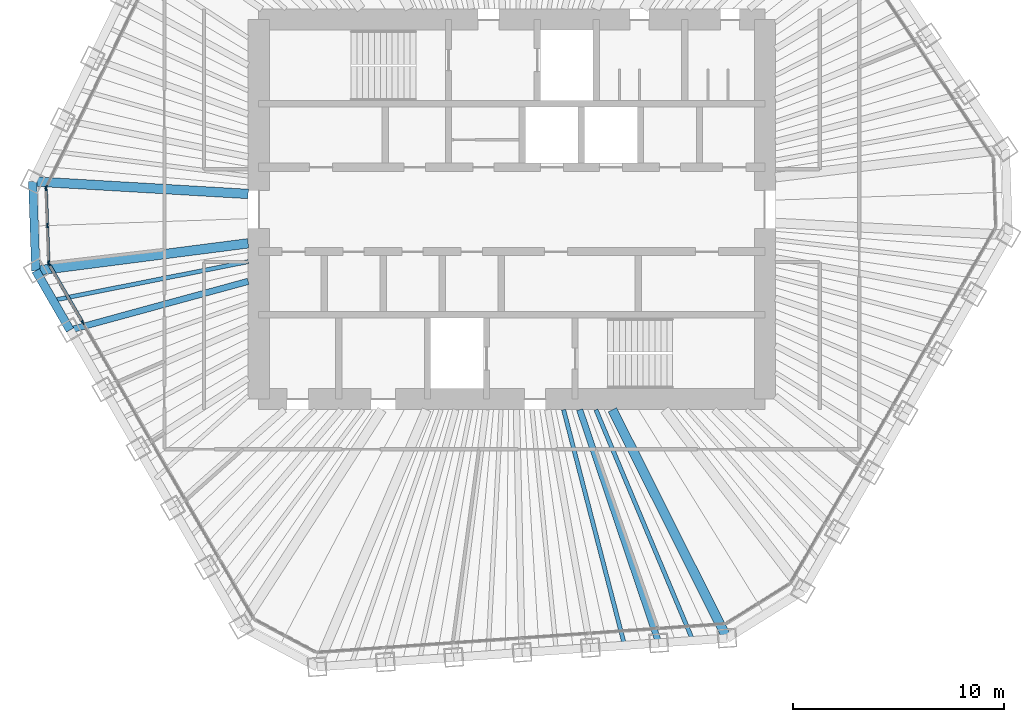
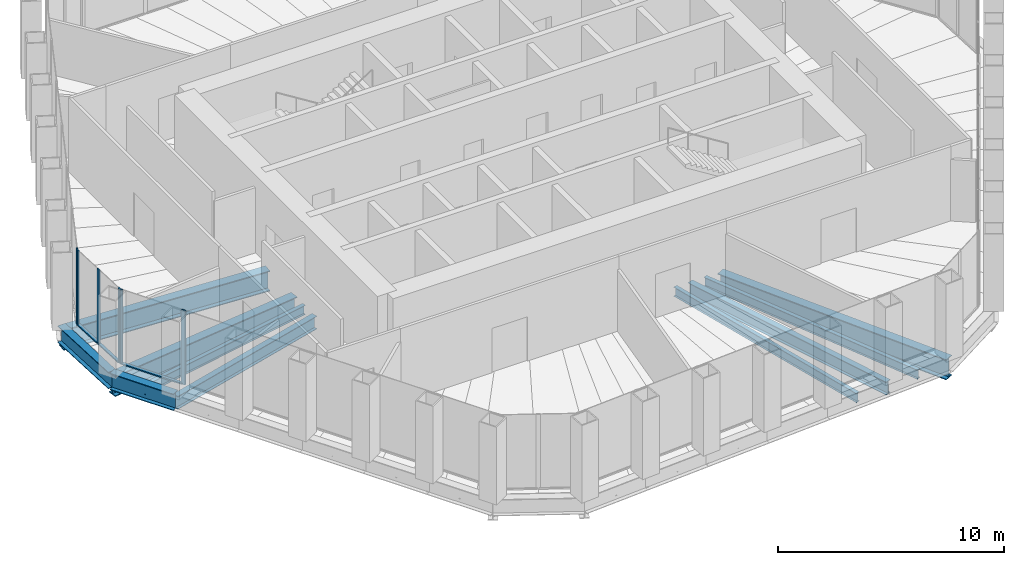
# One storey, part 3 of 14: 10 beams, 9 members, 3 elements without a shape of their own.
"""IFC4 building model written with IfcOpenShell, lengths in metres."""

from ifc_helpers import new_model, si_unit, direction, frame, origin, origin_2d, place, context, subcontext, project, spatial, rectangle, i_section, extrude, material, material_profile, profile_set, type_object, element, aggregate, save


model = new_model("IFC4")

# Units and contexts
model_context = context("Model", 3, precision=1e-05, world=origin(), true_north=direction((0.0, 1.0)))
body_context = subcontext(model_context, "Body", "Model", "MODEL_VIEW")
ifc_project = project(units=[si_unit("LENGTHUNIT", "METRE"), si_unit("AREAUNIT", "SQUARE_METRE"), si_unit("VOLUMEUNIT", "CUBIC_METRE"), si_unit("PLANEANGLEUNIT", "RADIAN"), si_unit("MASSUNIT", "GRAM", prefix="KILO")], contexts=[model_context])

# Site, building, storey
site_placement = place(None, origin())
site = spatial("IfcSite", under=ifc_project, at=site_placement, CompositionType="ELEMENT")
building_placement = place(site_placement, origin())
building = spatial("IfcBuilding", under=site, at=building_placement, Name="Qingtian Harvest Tower", CompositionType="ELEMENT")
storey_placement = place(building_placement, frame((0.0, 0.0, 287.199951171875)))
storey = spatial("IfcBuildingStorey", under=building, at=storey_placement, Name="L63", CompositionType="ELEMENT", Elevation=287.199951171875)

# Beams
ifc_material_1 = material(Name="Steel SM570MC", Category="steel")
ifc_material_profile_1 = material_profile(ifc_material_1, i_section(OverallWidth=0.449951171875, OverallDepth=1.10009765625, WebThickness=0.02197265625, FlangeThickness=0.044921875, at=origin_2d()), Name="H1100x450x22x45")
ifc_profile_set_1 = profile_set([ifc_material_profile_1], Name="Steel SM570MC")
beam_type_1 = type_object("IfcBeamType", Name="Corner floor beam FB8 H1100x450x22x45", PredefinedType="BEAM", material=ifc_profile_set_1)
beam_1_placement = place(storey_placement, frame((10.20947265625, -20.33740234375, -0.719970703125), z_axis=(-0.448646499463, 0.89370930314, 0.0), x_axis=(-0.89370930314, -0.448646499463, 0.0)))
element("IfcBeam", 1, at=beam_1_placement, inside=storey, type_object=beam_type_1, Name="Floor beam FB8 S0", PredefinedType="BEAM", context=body_context, shape_type="SweptSolid", body=[
    extrude(i_section(OverallWidth=0.449951171875, OverallDepth=1.10009765625, WebThickness=0.02197265625, FlangeThickness=0.044921875, at=origin_2d()), origin(), (0.0, 0.0, 1.0), 12.126220703125),
])
beam_2_placement = place(storey_placement, frame((-22.569580078125, -2.908447265625, -0.719970703125), z_axis=(0.991799019918, 0.127807292784, 0.0), x_axis=(-0.127807292784, 0.991799019918, 0.0)))
element("IfcBeam", 2, at=beam_2_placement, inside=storey, type_object=beam_type_1, Name="Floor beam FB8 SW6", PredefinedType="BEAM", context=body_context, shape_type="SweptSolid", body=[
    extrude(i_section(OverallWidth=0.449951171875, OverallDepth=1.10009765625, WebThickness=0.02197265625, FlangeThickness=0.044921875, at=origin_2d()), origin(), (0.0, 0.0, 1.0), 10.15283203125),
])
beam_3_placement = place(storey_placement, frame((-22.71728515625, 1.3271484375, -0.719970703125), z_axis=(0.998297736533, -0.058323487833, 0.0), x_axis=(0.058323487833, 0.998297736533, 0.0)))
element("IfcBeam", 3, at=beam_3_placement, inside=storey, type_object=beam_type_1, Name="Floor beam FB8 NW0", PredefinedType="BEAM", context=body_context, shape_type="SweptSolid", body=[
    extrude(i_section(OverallWidth=0.449951171875, OverallDepth=1.10009765625, WebThickness=0.02197265625, FlangeThickness=0.044921875, at=origin_2d()), origin(), (0.0, 0.0, 1.0), 10.234619140625),
])
ifc_material_2 = material(Name="Steel SN490B", Category="steel")
ifc_material_profile_2 = material_profile(ifc_material_2, i_section(OverallWidth=0.300048828125, OverallDepth=0.699951171875, WebThickness=0.012939453125, FlangeThickness=0.02392578125, at=origin_2d()), Name="H700x300x13x24")
ifc_profile_set_2 = profile_set([ifc_material_profile_2], Name="Steel SN490B")
beam_type_2 = type_object("IfcBeamType", Name="Floor beam FB4 H700x300x13x24", PredefinedType="BEAM", material=ifc_profile_set_2)
beam_4_placement = place(storey_placement, frame((6.96923828125, -20.56396484375, -0.52001953125), z_axis=(-0.320963665382, 0.947091508517, 0.0), x_axis=(-0.947091508517, -0.320963665382, 0.0)))
element("IfcBeam", 4, at=beam_4_placement, inside=storey, type_object=beam_type_2, Name="Floor beam FB4 S1", PredefinedType="BEAM", context=body_context, shape_type="SweptSolid", body=[
    extrude(i_section(OverallWidth=0.300048828125, OverallDepth=0.699951171875, WebThickness=0.012939453125, FlangeThickness=0.02392578125, at=origin_2d()), origin(), (0.0, 0.0, 1.0), 11.68212890625),
])
beam_5_placement = place(storey_placement, frame((-20.945556640625, -5.721435546875, -0.52001953125), z_axis=(0.964660783636, 0.263494919335, 0.0), x_axis=(-0.263494919335, 0.964660783636, 0.0)))
element("IfcBeam", 5, at=beam_5_placement, inside=storey, type_object=beam_type_2, Name="Floor beam FB4 SW5", PredefinedType="BEAM", context=body_context, shape_type="SweptSolid", body=[
    extrude(i_section(OverallWidth=0.300048828125, OverallDepth=0.699951171875, WebThickness=0.012939453125, FlangeThickness=0.02392578125, at=origin_2d()), origin(), (0.0, 0.0, 1.0), 8.7548828125),
])
ifc_material_3 = material(Name="Steel SN490B", Category="steel")
ifc_material_profile_3 = material_profile(ifc_material_3, i_section(OverallWidth=0.199951171875, OverallDepth=0.5, WebThickness=0.010009765625, FlangeThickness=0.01611328125, at=origin_2d()), Name="H500x200x10x16")
ifc_profile_set_3 = profile_set([ifc_material_profile_3], Name="Steel SN490B")
beam_type_3 = type_object("IfcBeamType", Name="Floor joist J3 H500x200x10x16", PredefinedType="JOIST", material=ifc_profile_set_3)
beam_6_placement = place(storey_placement, frame((8.58935546875, -20.45068359375, -0.419921875), z_axis=(-0.387238075679, 0.921979757232, 0.0), x_axis=(-0.921979757232, -0.387238075679, 0.0)))
element("IfcBeam", 6, at=beam_6_placement, inside=storey, type_object=beam_type_3, Name="Floor joist J3 S0", PredefinedType="JOIST", context=body_context, shape_type="SweptSolid", body=[
    extrude(i_section(OverallWidth=0.199951171875, OverallDepth=0.5, WebThickness=0.010009765625, FlangeThickness=0.01611328125, at=origin_2d()), origin(), (0.0, 0.0, 1.0), 11.87744140625),
])
beam_7_placement = place(storey_placement, frame((5.349365234375, -20.67724609375, -0.419921875), z_axis=(-0.250458686855, 0.968127288211, 0.0), x_axis=(-0.968127288211, -0.250458686855, 0.0)))
element("IfcBeam", 7, at=beam_7_placement, inside=storey, type_object=beam_type_3, Name="Floor joist J3 S1", PredefinedType="JOIST", context=body_context, shape_type="SweptSolid", body=[
    extrude(i_section(OverallWidth=0.199951171875, OverallDepth=0.5, WebThickness=0.010009765625, FlangeThickness=0.01611328125, at=origin_2d()), origin(), (0.0, 0.0, 1.0), 11.545166015625),
])
beam_8_placement = place(storey_placement, frame((-21.757568359375, -4.31494140625, -0.419921875), z_axis=(0.980896774681, 0.194528962937, 0.0), x_axis=(-0.194528962937, 0.980896774681, 0.0)))
element("IfcBeam", 8, at=beam_8_placement, inside=storey, type_object=beam_type_3, Name="Floor joist J3 SW5", PredefinedType="JOIST", context=body_context, shape_type="SweptSolid", body=[
    extrude(i_section(OverallWidth=0.199951171875, OverallDepth=0.5, WebThickness=0.010009765625, FlangeThickness=0.01611328125, at=origin_2d()), origin(), (0.0, 0.0, 1.0), 9.437744140625),
])

# Curtain wall, members
ifc_material_4 = material(Name="Bronze-anodised aluminium curtain wall", Category="aluminium")
curtain_wall_type = type_object("IfcCurtainWallType", Name="Curtain wall CW5 upper office", PredefinedType="USERDEFINED", material=ifc_material_4)
curtain_wall_1_placement = place(storey_placement, origin())
curtain_wall_1 = element("IfcCurtainWall", 9, at=curtain_wall_1_placement, inside=storey, type_object=curtain_wall_type, Name="Curtain wall CW5 L63 SW0-5", ObjectType="RECESSED CURTAIN WALL", PredefinedType="USERDEFINED")
ifc_material_5 = material(Name="Bronze-anodised aluminium mullion", Category="aluminium")
ifc_material_profile_4 = material_profile(ifc_material_5, rectangle(XDim=0.06494140625, YDim=0.199951171875, at=origin_2d()), Name="AL 65x200")
ifc_profile_set_4 = profile_set([ifc_material_profile_4], Name="Bronze-anodised aluminium mullion")
member_type_1 = type_object("IfcMemberType", Name="Mullion CWM 65x200", PredefinedType="MULLION", material=ifc_profile_set_4)
member_1_placement = place(storey_placement, frame((-20.33935546875, -5.371337890625, 0.0), z_axis=(0.0, 0.0, 1.0), x_axis=(-0.866025403784, -0.5, 0.0)))
member_1 = element("IfcMember", 10, at=member_1_placement, type_object=member_type_1, Name="CW5 mullion 6", PredefinedType="MULLION", context=body_context, shape_type="SweptSolid", body=[
    extrude(rectangle(XDim=0.06494140625, YDim=0.199951171875, at=origin_2d()), origin(), (0.0, 0.0, 1.0), 4.030029296875),
])
member_2_placement = place(storey_placement, frame((-21.947021484375, -2.586669921875, 0.0), z_axis=(0.0, 0.0, 1.0), x_axis=(-0.866025403784, -0.5, 0.0)))
member_2 = element("IfcMember", 11, at=member_2_placement, type_object=member_type_1, Name="CW5 mullion 7", PredefinedType="MULLION", context=body_context, shape_type="SweptSolid", body=[
    extrude(rectangle(XDim=0.06494140625, YDim=0.199951171875, at=origin_2d()), origin(), (0.0, 0.0, 1.0), 4.030029296875),
])

curtain_wall_2_placement = place(storey_placement, origin())
curtain_wall_2 = element("IfcCurtainWall", 12, at=curtain_wall_2_placement, inside=storey, type_object=curtain_wall_type, Name="Curtain wall CW5 L63 SWC", ObjectType="RECESSED CURTAIN WALL", PredefinedType="USERDEFINED")
member_3_placement = place(storey_placement, frame((-21.96435546875, -2.526123046875, 0.0), z_axis=(0.0, 0.0, 1.0), x_axis=(-0.999390827019, -0.034899496703, 0.0)))
member_3 = element("IfcMember", 13, at=member_3_placement, type_object=member_type_1, Name="CW5 mullion 1", PredefinedType="MULLION", context=body_context, shape_type="SweptSolid", body=[
    extrude(rectangle(XDim=0.06494140625, YDim=0.199951171875, at=origin_2d()), origin(), (0.0, 0.0, 1.0), 4.030029296875),
])
member_4_placement = place(storey_placement, frame((-22.025634765625, -0.76904296875, 0.0), z_axis=(0.0, 0.0, 1.0), x_axis=(-0.999390827019, -0.034899496703, 0.0)))
member_4 = element("IfcMember", 14, at=member_4_placement, type_object=member_type_1, Name="CW5 mullion 2", PredefinedType="MULLION", context=body_context, shape_type="SweptSolid", body=[
    extrude(rectangle(XDim=0.06494140625, YDim=0.199951171875, at=origin_2d()), origin(), (0.0, 0.0, 1.0), 4.030029296875),
])
member_5_placement = place(storey_placement, frame((-22.087158203125, 0.98779296875, 0.0), z_axis=(0.0, 0.0, 1.0), x_axis=(-0.999390827019, -0.034899496703, 0.0)))
member_5 = element("IfcMember", 15, at=member_5_placement, type_object=member_type_1, Name="CW5 mullion 3", PredefinedType="MULLION", context=body_context, shape_type="SweptSolid", body=[
    extrude(rectangle(XDim=0.06494140625, YDim=0.199951171875, at=origin_2d()), origin(), (0.0, 0.0, 1.0), 4.030029296875),
])

# Curtain wall, member
curtain_wall_3_placement = place(storey_placement, origin())
curtain_wall_3 = element("IfcCurtainWall", 16, at=curtain_wall_3_placement, inside=storey, type_object=curtain_wall_type, Name="Curtain wall CW5 L63 NW0-5", ObjectType="RECESSED CURTAIN WALL", PredefinedType="USERDEFINED")
member_6_placement = place(storey_placement, frame((-22.073974609375, 1.04931640625, 0.0), z_axis=(0.0, 0.0, 1.0), x_axis=(-0.898794046299, 0.438371146789, 0.0)))
member_6 = element("IfcMember", 17, at=member_6_placement, type_object=member_type_1, Name="CW5 mullion 1", PredefinedType="MULLION", context=body_context, shape_type="SweptSolid", body=[
    extrude(rectangle(XDim=0.06494140625, YDim=0.199951171875, at=origin_2d()), origin(), (0.0, 0.0, 1.0), 4.030029296875),
])
aggregate(curtain_wall_3, [member_6])

# Beams
ifc_material_6 = material(Name="Steel SN490B", Category="steel")
ifc_material_profile_5 = material_profile(ifc_material_6, i_section(OverallWidth=0.39990234375, OverallDepth=0.89990234375, WebThickness=0.01904296875, FlangeThickness=0.035888671875, at=origin_2d()), Name="H900x400x19x36")
ifc_profile_set_5 = profile_set([ifc_material_profile_5], Name="Steel SN490B")
beam_type_4 = type_object("IfcBeamType", Name="Spandrel beam SB4 H900x400x19x36", PredefinedType="SPANDREL", material=ifc_profile_set_5)
beam_9_placement = place(storey_placement, frame((-20.945556640625, -5.721435546875, -0.449951171875), z_axis=(-0.499987045439, 0.866032882975, 0.0), x_axis=(-0.866032882975, -0.499987045439, 0.0)))
element("IfcBeam", 18, at=beam_9_placement, inside=storey, type_object=beam_type_4, Name="Spandrel SB4 SW5", PredefinedType="SPANDREL", context=body_context, shape_type="SweptSolid", body=[
    extrude(i_section(OverallWidth=0.39990234375, OverallDepth=0.89990234375, WebThickness=0.01904296875, FlangeThickness=0.035888671875, at=origin_2d()), origin(), (0.0, 0.0, 1.0), 3.248046875),
])
beam_10_placement = place(storey_placement, frame((-22.569580078125, -2.908447265625, -0.449951171875), z_axis=(-0.034851142499, 0.999392514414, 0.0), x_axis=(-0.999392514414, -0.034851142499, 0.0)))
element("IfcBeam", 19, at=beam_10_placement, inside=storey, type_object=beam_type_4, Name="Spandrel SB4 SWC", PredefinedType="SPANDREL", context=body_context, shape_type="SweptSolid", body=[
    extrude(i_section(OverallWidth=0.39990234375, OverallDepth=0.89990234375, WebThickness=0.01904296875, FlangeThickness=0.035888671875, at=origin_2d()), origin(), (0.0, 0.0, 1.0), 4.23828125),
])

# Member
ifc_material_7 = material(Name="Bronze-anodised aluminium transom", Category="aluminium")
ifc_material_profile_6 = material_profile(ifc_material_7, rectangle(XDim=0.14990234375, YDim=0.06494140625, at=origin_2d()), Name="AL 65x150")
ifc_profile_set_6 = profile_set([ifc_material_profile_6], Name="Bronze-anodised aluminium transom")
member_type_2 = type_object("IfcMemberType", Name="Transom CWT 65x150", PredefinedType="USERDEFINED", material=ifc_profile_set_6)
member_7_placement = place(storey_placement, frame((-20.35546875, -5.34326171875, 0.032470703125), z_axis=(-0.499972881236, 0.866041060244, 0.0), x_axis=(-0.866041060244, -0.499972881236, 0.0)))
member_7 = element("IfcMember", 20, at=member_7_placement, type_object=member_type_2, Name="CW5 transom 6.1", ObjectType="TRANSOM", PredefinedType="USERDEFINED", context=body_context, shape_type="SweptSolid", body=[
    extrude(rectangle(XDim=0.14990234375, YDim=0.06494140625, at=origin_2d()), origin(), (0.0, 0.0, 1.0), 3.150634765625),
])

aggregate(curtain_wall_1, [member_1, member_2, member_7])

member_8_placement = place(storey_placement, frame((-21.965576171875, -2.49365234375, 0.032470703125), z_axis=(-0.034899362377, 0.99939083171, 0.0), x_axis=(-0.99939083171, -0.034899362377, 0.0)))
member_8 = element("IfcMember", 21, at=member_8_placement, type_object=member_type_2, Name="CW5 transom 1.1", ObjectType="TRANSOM", PredefinedType="USERDEFINED", context=body_context, shape_type="SweptSolid", body=[
    extrude(rectangle(XDim=0.14990234375, YDim=0.06494140625, at=origin_2d()), origin(), (0.0, 0.0, 1.0), 1.69287109375),
])

member_9_placement = place(storey_placement, frame((-22.02685546875, -0.736572265625, 0.032470703125), z_axis=(-0.034899362377, 0.99939083171, 0.0), x_axis=(-0.99939083171, -0.034899362377, 0.0)))
member_9 = element("IfcMember", 22, at=member_9_placement, type_object=member_type_2, Name="CW5 transom 2.1", ObjectType="TRANSOM", PredefinedType="USERDEFINED", context=body_context, shape_type="SweptSolid", body=[
    extrude(rectangle(XDim=0.14990234375, YDim=0.06494140625, at=origin_2d()), origin(), (0.0, 0.0, 1.0), 1.69287109375),
])

aggregate(curtain_wall_2, [member_3, member_4, member_5, member_8, member_9])

save(model, "model.ifc")
